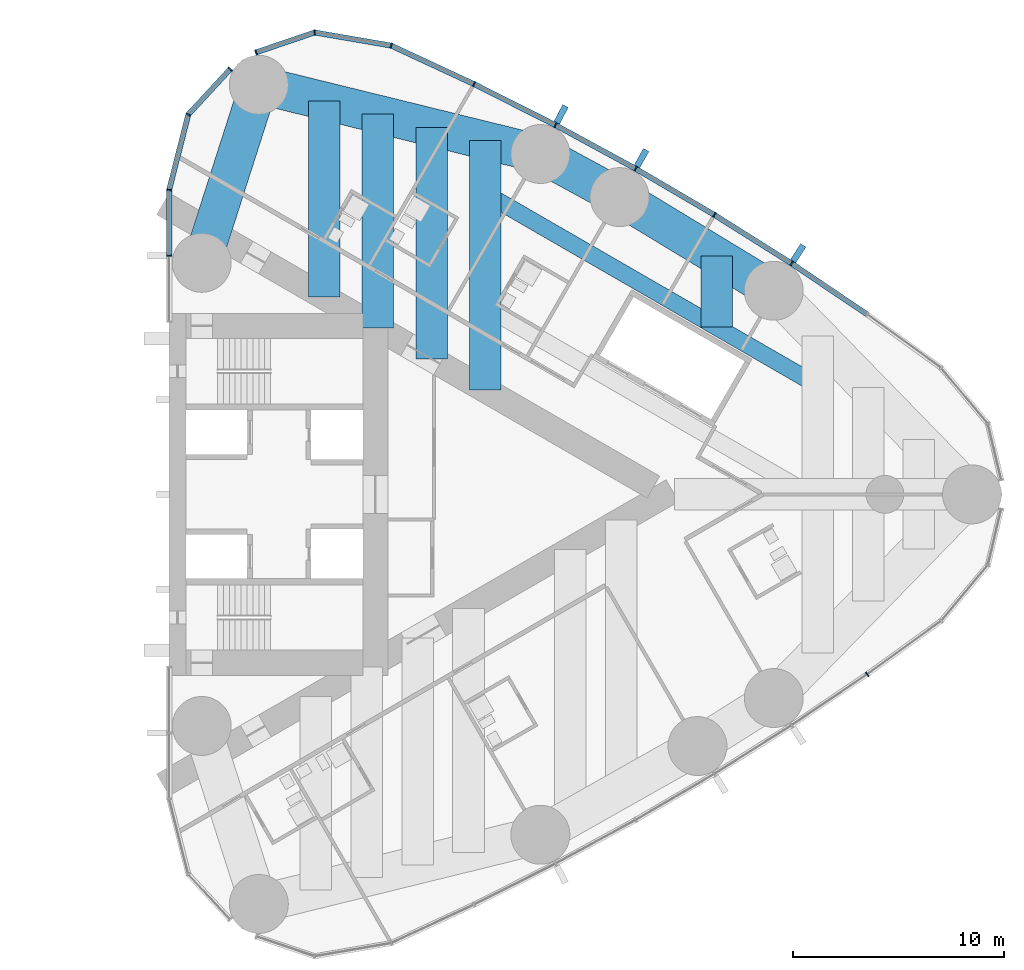
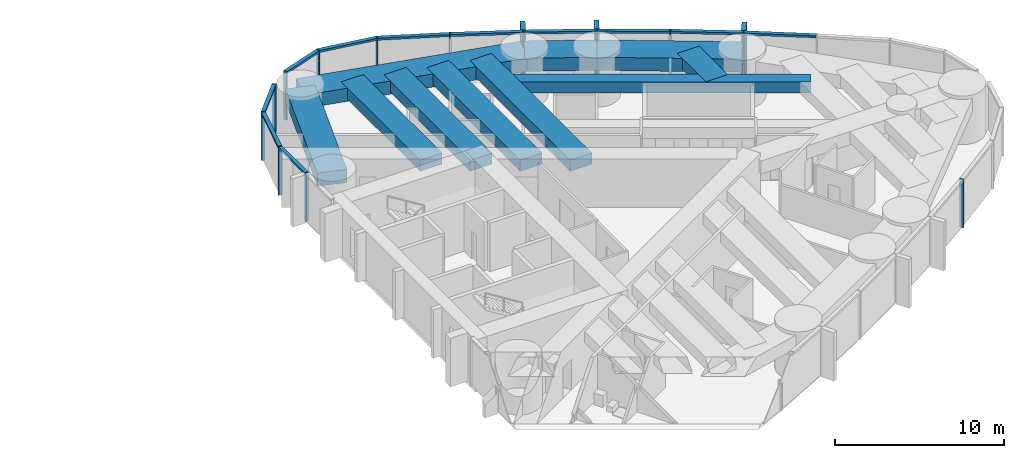
# One storey, part 8 of 19: 27 members, 10 beams, 3 elements without a shape of their own.
"""IFC4 building model written with IfcOpenShell, lengths in metres."""

import ifcopenshell
import ifcopenshell.guid

model = None  # the IFC model being written
_history = None  # IfcOwnerHistory: only IFC2X3 demands one
_inside = {}  # id of a spatial element -> (the spatial element, [elements in it])
_under = {}  # id of a project, library or spatial element -> (it, [spatial elements below it])
_declared = {}  # id of a project -> (the project, [libraries it declares])
_typed = {}  # id of a type object -> (the type object, [elements of that type])
_made_of = {}  # id of a material, layer set ... -> (it, [elements and type objects made of it])


def new_model(schema):
    """Start an empty IFC model of exactly this schema.

    Asked for "IFC4X3", IfcOpenShell would pick the latest addendum, in which some entities
    have other attributes; the version numbers below select the first issue.
    IFC2X3 requires an IfcOwnerHistory on every rooted entity: one is made here for all.
    """
    global model, _history
    if schema == "IFC4X3":
        model = ifcopenshell.file(schema_version=(4, 3, 0, 0))
    else:
        model = ifcopenshell.file(schema=schema)
    _inside.clear()
    _under.clear()
    _declared.clear()
    _typed.clear()
    _made_of.clear()
    _history = None
    if model.schema == "IFC2X3":
        org = make("IfcOrganization", Name="unknown")
        user = make(
            "IfcPersonAndOrganization",
            ThePerson=make("IfcPerson", FamilyName="unknown"),
            TheOrganization=org,
        )
        app = make(
            "IfcApplication",
            ApplicationDeveloper=org,
            Version="unknown",
            ApplicationFullName="unknown",
            ApplicationIdentifier="unknown",
        )
        _history = make(
            "IfcOwnerHistory",
            OwningUser=user,
            OwningApplication=app,
            ChangeAction="ADDED",
            CreationDate=0,
        )
    return model


def make(cls, **values):
    """One entity of the class cls with the attributes given. An attribute that is None is left unset."""
    return model.create_entity(
        cls, **{name: value for name, value in values.items() if value is not None}
    )


def rooted(cls, **values):
    """An entity with a GlobalId (a new one), such as an element, a storey or a relation."""
    return make(cls, GlobalId=ifcopenshell.guid.new(), OwnerHistory=_history, **values)


def si_unit(unit_type, name, prefix=None):
    """IfcSIUnit, for example si_unit("LENGTHUNIT", "METRE", prefix="MILLI")."""
    return make("IfcSIUnit", UnitType=unit_type, Prefix=prefix, Name=name)


def assignment(units):
    """IfcUnitAssignment: the units of a project."""
    return None if units is None else make("IfcUnitAssignment", Units=units)


def point(xyz):
    """IfcCartesianPoint."""
    return None if xyz is None else make("IfcCartesianPoint", Coordinates=xyz)


def direction(xyz):
    """IfcDirection."""
    return None if xyz is None else make("IfcDirection", DirectionRatios=xyz)


def frame(location, z_axis=None, x_axis=None):
    """IfcAxis2Placement3D, a coordinate frame: its origin and axes. An axis left out is left unset."""
    return make(
        "IfcAxis2Placement3D",
        Location=point(location),
        Axis=direction(z_axis),
        RefDirection=direction(x_axis),
    )


def frame_2d(location, x_axis=None):
    """IfcAxis2Placement2D, a coordinate frame in the plane: its origin and x axis."""
    return make(
        "IfcAxis2Placement2D", Location=point(location), RefDirection=direction(x_axis)
    )


def origin():
    """The frame at (0, 0, 0) with its axes left unset."""
    return frame((0.0, 0.0, 0.0))


def origin_2d():
    """The frame at (0, 0) in the plane with its x axis left unset."""
    return frame_2d((0.0, 0.0))


def place(relative_to, where):
    """IfcLocalPlacement: puts the frame where relative to a parent placement (None: the world)."""
    return make(
        "IfcLocalPlacement", PlacementRelTo=relative_to, RelativePlacement=where
    )


def context(
    kind, dimensions, precision=None, world=None, true_north=None, identifier=None
):
    """IfcGeometricRepresentationContext, for example the 3D "Model" context."""
    return make(
        "IfcGeometricRepresentationContext",
        ContextIdentifier=identifier,
        ContextType=kind,
        CoordinateSpaceDimension=dimensions,
        Precision=precision,
        WorldCoordinateSystem=world,
        TrueNorth=true_north,
    )


def subcontext(parent, identifier, kind, view, scale=None):
    """IfcGeometricRepresentationSubContext, for example "Body" below "Model"."""
    return make(
        "IfcGeometricRepresentationSubContext",
        ContextIdentifier=identifier,
        ContextType=kind,
        ParentContext=parent,
        TargetScale=scale,
        TargetView=view,
    )


def project(units=None, contexts=None):
    """IfcProject with its units and contexts."""
    return rooted(
        "IfcProject",
        Name="project",
        RepresentationContexts=contexts,
        UnitsInContext=assignment(units),
    )


def spatial(cls, under=None, at=None, **own):
    """A site, building, storey or space (cls), placed at a placement, below another one or the project."""
    s = rooted(cls, ObjectPlacement=at, **own)
    if under is not None:
        _under.setdefault(under.id(), (under, []))[1].append(s)
    return s


def profile(cls, at=None, kind="AREA", **sizes):
    """A parametric profile (cls). Its sizes go by their IFC names, for example OverallWidth=200.0."""
    return make(cls, ProfileType=kind, Position=at, **sizes)


def rectangle(**sizes):
    """IfcRectangleProfileDef."""
    return profile("IfcRectangleProfileDef", **sizes)


def hollow_rectangle(**sizes):
    """IfcRectangleHollowProfileDef."""
    return profile("IfcRectangleHollowProfileDef", **sizes)


def extrude(swept, where, along, depth):
    """IfcExtrudedAreaSolid: the profile swept, set in the frame where, extruded along a direction by depth."""
    return make(
        "IfcExtrudedAreaSolid",
        SweptArea=swept,
        Position=where,
        ExtrudedDirection=direction(along),
        Depth=depth,
    )


def shape(context_of_items, identifier, shape_type, items):
    """IfcShapeRepresentation: the items that make up one representation, for example the "Body"."""
    return make(
        "IfcShapeRepresentation",
        ContextOfItems=context_of_items,
        RepresentationIdentifier=identifier,
        RepresentationType=shape_type,
        Items=items,
    )


def material(Name=None, Category=None):
    """IfcMaterial."""
    return make("IfcMaterial", Name=Name, Category=Category)


def material_profile(
    of_material, cross_section, Name=None, Category=None, Priority=None
):
    """IfcMaterialProfile: a cross section and its material."""
    return make(
        "IfcMaterialProfile",
        Name=Name,
        Material=of_material,
        Profile=cross_section,
        Priority=Priority,
        Category=Category,
    )


def profile_set(profiles, Name=None, composite=None):
    """IfcMaterialProfileSet."""
    return make(
        "IfcMaterialProfileSet",
        Name=Name,
        MaterialProfiles=profiles,
        CompositeProfile=composite,
    )


def made_of(thing, what):
    """Note that an element or type object is made of a material, layer set ...; save() writes the relation."""
    if what is not None:
        _made_of.setdefault(what.id(), (what, []))[1].append(thing)
    return thing


def type_object(cls, material=None, **own):
    """A type object (cls), such as IfcWallType, which elements share."""
    return made_of(rooted(cls, **own), material)


def element(
    cls,
    number,
    at=None,
    inside=None,
    cuts=None,
    type_object=None,
    material=None,
    context=None,
    identifier="Body",
    shape_type=None,
    held_by="IfcProductDefinitionShape",
    body=None,
    shapes=None,
    **own,
):
    """One element of the class cls, such as IfcWall. Its Tag is "e" and its number.

    at: its placement. inside: the storey or other place that contains it. cuts: it is an
    opening in that element (IfcRelVoidsElement). A single representation is given by context,
    identifier, shape_type and body (its items); several are given by shapes. held_by: the class
    of the entity that holds the representations. save() writes the other relations.
    """
    e = rooted(cls, Tag="e%d" % number, ObjectPlacement=at, **own)
    if body is not None:
        shapes = [shape(context, identifier, shape_type, body)]
    if shapes is not None:
        e.Representation = make(held_by, Representations=shapes)
    if inside is not None:
        _inside.setdefault(inside.id(), (inside, []))[1].append(e)
    if cuts is not None:
        rooted(
            "IfcRelVoidsElement", RelatingBuildingElement=cuts, RelatedOpeningElement=e
        )
    if type_object is not None:
        _typed.setdefault(type_object.id(), (type_object, []))[1].append(e)
    return made_of(e, material)


def aggregate(whole, parts):
    """IfcRelAggregates: a whole, such as a stair, and the parts it consists of."""
    return rooted("IfcRelAggregates", RelatingObject=whole, RelatedObjects=parts)


def save(model, path):
    """Write the relations noted so far, then the file.

    IfcRelAggregates (storeys below a building ...), IfcRelContainedInSpatialStructure (elements
    in a storey), IfcRelDefinesByType, IfcRelAssociatesMaterial and IfcRelDeclares: one each for
    every whole, place, type object, material and project.
    """
    for whole, parts in _under.values():
        aggregate(whole, parts)
    for where, things in _inside.values():
        rooted(
            "IfcRelContainedInSpatialStructure",
            RelatedElements=things,
            RelatingStructure=where,
        )
    for kind, things in _typed.values():
        rooted("IfcRelDefinesByType", RelatedObjects=things, RelatingType=kind)
    for what, things in _made_of.values():
        rooted("IfcRelAssociatesMaterial", RelatedObjects=things, RelatingMaterial=what)
    for by, libraries in _declared.values():
        rooted("IfcRelDeclares", RelatingContext=by, RelatedDefinitions=libraries)
    model.write(path)


model = new_model("IFC4")

# Units and contexts
model_context = context("Model", 3, precision=1e-05, world=origin(), true_north=direction((0.0, 1.0)))
body_context = subcontext(model_context, "Body", "Model", "MODEL_VIEW")
ifc_project = project(units=[si_unit("LENGTHUNIT", "METRE"), si_unit("AREAUNIT", "SQUARE_METRE"), si_unit("VOLUMEUNIT", "CUBIC_METRE"), si_unit("PLANEANGLEUNIT", "RADIAN"), si_unit("MASSUNIT", "GRAM", prefix="KILO")], contexts=[model_context])

# Site, building, storey
site_placement = place(None, origin())
site = spatial("IfcSite", under=ifc_project, at=site_placement, CompositionType="ELEMENT")
building_placement = place(site_placement, origin())
building = spatial("IfcBuilding", under=site, at=building_placement, Name="Lancet Gate Hotel", CompositionType="ELEMENT")
storey_placement = place(building_placement, frame((0.0, 0.0, 184.300048828125)))
storey = spatial("IfcBuildingStorey", under=building, at=storey_placement, Name="L49", CompositionType="ELEMENT", Elevation=184.300048828125)

# Curtain wall, member
ifc_material_1 = material(Name="Aluminium curtain wall", Category="aluminium")
curtain_wall_type = type_object("IfcCurtainWallType", Name="Tower unitised curtain wall", PredefinedType="USERDEFINED", material=ifc_material_1)
curtain_wall_1_placement = place(storey_placement, origin())
curtain_wall_1 = element("IfcCurtainWall", 1, at=curtain_wall_1_placement, inside=storey, type_object=curtain_wall_type, Name="T2 L49 curtain wall 2", ObjectType="UNITISED CURTAIN WALL", PredefinedType="USERDEFINED")
ifc_material_2 = material(Name="Aluminium mullion", Category="aluminium")
ifc_material_profile_1 = material_profile(ifc_material_2, rectangle(XDim=0.06494140625, YDim=0.25, at=origin_2d()), Name="MULLION 65x250")
ifc_profile_set_1 = profile_set([ifc_material_profile_1], Name="Aluminium mullion")
member_type_1 = type_object("IfcMemberType", Name="Aluminium mullion 65x250", PredefinedType="MULLION", material=ifc_profile_set_1)
member_1_placement = place(storey_placement, frame((60.66015625, -8.547607421875, 0.0), z_axis=(0.0, 0.0, 1.0), x_axis=(0.820068208435, 0.572265789222, 0.0)))
member_1 = element("IfcMember", 2, at=member_1_placement, type_object=member_type_1, Name="T2 L49 curtain wall 2 mullion 9", PredefinedType="MULLION", context=body_context, shape_type="SweptSolid", body=[
    extrude(rectangle(XDim=0.06494140625, YDim=0.25, at=origin_2d()), origin(), (0.0, 0.0, 1.0), 3.5),
])
aggregate(curtain_wall_1, [member_1])

# Curtain wall, members
curtain_wall_2_placement = place(storey_placement, origin())
curtain_wall_2 = element("IfcCurtainWall", 3, at=curtain_wall_2_placement, inside=storey, type_object=curtain_wall_type, Name="T2 L49 curtain wall 3", ObjectType="UNITISED CURTAIN WALL", PredefinedType="USERDEFINED")
member_2_placement = place(storey_placement, frame((57.067138671875, 10.970947265625, 0.0), z_axis=(0.0, 0.0, 1.0), x_axis=(-0.837800943278, 0.545975804815, 0.0)))
member_2 = element("IfcMember", 4, at=member_2_placement, type_object=member_type_1, Name="T2 L49 curtain wall 3 mullion 5", PredefinedType="MULLION", context=body_context, shape_type="SweptSolid", body=[
    extrude(rectangle(XDim=0.06494140625, YDim=0.25, at=origin_2d()), origin(), (0.0, 0.0, 1.0), 3.5),
])
member_3_placement = place(storey_placement, frame((53.39892578125, 13.279541015625, 0.0), z_axis=(0.0, 0.0, 1.0), x_axis=(-0.854691174453, 0.519136779965, 0.0)))
member_3 = element("IfcMember", 5, at=member_3_placement, type_object=member_type_1, Name="T2 L49 curtain wall 3 mullion 6", PredefinedType="MULLION", context=body_context, shape_type="SweptSolid", body=[
    extrude(rectangle(XDim=0.06494140625, YDim=0.25, at=origin_2d()), origin(), (0.0, 0.0, 1.0), 3.5),
])
member_4_placement = place(storey_placement, frame((49.65966796875, 15.47021484375, 0.0), z_axis=(0.0, 0.0, 1.0), x_axis=(-0.870721916932, 0.491775704336, 0.0)))
member_4 = element("IfcMember", 6, at=member_4_placement, type_object=member_type_1, Name="T2 L49 curtain wall 3 mullion 7", PredefinedType="MULLION", context=body_context, shape_type="SweptSolid", body=[
    extrude(rectangle(XDim=0.06494140625, YDim=0.25, at=origin_2d()), origin(), (0.0, 0.0, 1.0), 3.5),
])
member_5_placement = place(storey_placement, frame((45.8525390625, 17.54150390625, 0.0), z_axis=(0.0, 0.0, 1.0), x_axis=(-0.885877049989, 0.463920092584, 0.0)))
member_5 = element("IfcMember", 7, at=member_5_placement, type_object=member_type_1, Name="T2 L49 curtain wall 3 mullion 8", PredefinedType="MULLION", context=body_context, shape_type="SweptSolid", body=[
    extrude(rectangle(XDim=0.06494140625, YDim=0.25, at=origin_2d()), origin(), (0.0, 0.0, 1.0), 3.5),
])
member_6_placement = place(storey_placement, frame((41.98193359375, 19.490966796875, 0.0), z_axis=(0.0, 0.0, 1.0), x_axis=(-0.900141333422, 0.435597956681, 0.0)))
member_6 = element("IfcMember", 8, at=member_6_placement, type_object=member_type_1, Name="T2 L49 curtain wall 3 mullion 9", PredefinedType="MULLION", context=body_context, shape_type="SweptSolid", body=[
    extrude(rectangle(XDim=0.06494140625, YDim=0.25, at=origin_2d()), origin(), (0.0, 0.0, 1.0), 3.5),
])
member_7_placement = place(storey_placement, frame((38.05126953125, 21.31689453125, 0.0), z_axis=(0.0, 0.0, 1.0), x_axis=(-0.951355493327, 0.308095318555, 0.0)))
member_7 = element("IfcMember", 9, at=member_7_placement, type_object=member_type_1, Name="T2 L49 curtain wall 3 mullion 10", PredefinedType="MULLION", context=body_context, shape_type="SweptSolid", body=[
    extrude(rectangle(XDim=0.06494140625, YDim=0.25, at=origin_2d()), origin(), (0.0, 0.0, 1.0), 3.5),
])
member_8_placement = place(storey_placement, frame((34.412109375, 21.9423828125, 0.0), z_axis=(0.0, 0.0, 1.0), x_axis=(-0.99877556888, -0.049470829879, 0.0)))
member_8 = element("IfcMember", 10, at=member_8_placement, type_object=member_type_1, Name="T2 L49 curtain wall 3 mullion 11", PredefinedType="MULLION", context=body_context, shape_type="SweptSolid", body=[
    extrude(rectangle(XDim=0.06494140625, YDim=0.25, at=origin_2d()), origin(), (0.0, 0.0, 1.0), 3.5),
])
member_9_placement = place(storey_placement, frame((31.631591796875, 20.998779296875, 0.0), z_axis=(0.0, 0.0, 1.0), x_axis=(-0.946952368511, -0.321373943827, 0.0)))
member_9 = element("IfcMember", 11, at=member_9_placement, type_object=member_type_1, Name="T2 L49 curtain wall 3 mullion 12", PredefinedType="MULLION", context=body_context, shape_type="SweptSolid", body=[
    extrude(rectangle(XDim=0.06494140625, YDim=0.25, at=origin_2d()), origin(), (0.0, 0.0, 1.0), 3.5),
])

curtain_wall_3_placement = place(storey_placement, origin())
curtain_wall_3 = element("IfcCurtainWall", 12, at=curtain_wall_3_placement, inside=storey, type_object=curtain_wall_type, Name="T2 L49 curtain wall 4", ObjectType="UNITISED CURTAIN WALL", PredefinedType="USERDEFINED")
member_10_placement = place(storey_placement, frame((30.40185546875, 20.199951171875, 0.0), z_axis=(0.0, 0.0, 1.0), x_axis=(-0.67883123083, -0.734294327943, 0.0)))
member_10 = element("IfcMember", 13, at=member_10_placement, type_object=member_type_1, Name="T2 L49 curtain wall 4 mullion 1", PredefinedType="MULLION", context=body_context, shape_type="SweptSolid", body=[
    extrude(rectangle(XDim=0.06494140625, YDim=0.25, at=origin_2d()), origin(), (0.0, 0.0, 1.0), 3.5),
])
member_11_placement = place(storey_placement, frame((28.408935546875, 18.04443359375, 0.0), z_axis=(0.0, 0.0, 1.0), x_axis=(-0.451505925065, -0.892268120932, 0.0)))
member_11 = element("IfcMember", 14, at=member_11_placement, type_object=member_type_1, Name="T2 L49 curtain wall 4 mullion 2", PredefinedType="MULLION", context=body_context, shape_type="SweptSolid", body=[
    extrude(rectangle(XDim=0.06494140625, YDim=0.25, at=origin_2d()), origin(), (0.0, 0.0, 1.0), 3.5),
])
member_12_placement = place(storey_placement, frame((27.5, 14.465576171875, 0.0), z_axis=(0.0, 0.0, 1.0), x_axis=(-0.134206524909, -0.990953383703, 0.0)))
member_12 = element("IfcMember", 15, at=member_12_placement, type_object=member_type_1, Name="T2 L49 curtain wall 4 mullion 3", PredefinedType="MULLION", context=body_context, shape_type="SweptSolid", body=[
    extrude(rectangle(XDim=0.06494140625, YDim=0.25, at=origin_2d()), origin(), (0.0, 0.0, 1.0), 3.5),
])
member_13_placement = place(storey_placement, frame((27.5, 11.332763671875, 0.0), z_axis=(0.0, 0.0, 1.0), x_axis=(0.0, -1.0, 0.0)))
member_13 = element("IfcMember", 16, at=member_13_placement, type_object=member_type_1, Name="T2 L49 curtain wall 4 mullion 4", PredefinedType="MULLION", context=body_context, shape_type="SweptSolid", body=[
    extrude(rectangle(XDim=0.06494140625, YDim=0.25, at=origin_2d()), origin(), (0.0, 0.0, 1.0), 3.5),
])

# Member
ifc_material_3 = material(Name="Aluminium transom", Category="aluminium")
ifc_material_profile_2 = material_profile(ifc_material_3, rectangle(XDim=0.25, YDim=0.14990234375, at=origin_2d()), Name="TRANSOM 250x150")
ifc_profile_set_2 = profile_set([ifc_material_profile_2], Name="Aluminium transom")
member_type_2 = type_object("IfcMemberType", Name="Aluminium transom 250x150", PredefinedType="USERDEFINED", material=ifc_profile_set_2)
member_14_placement = place(storey_placement, frame((60.63330078125, 8.565673828125, 3.425048828125), z_axis=(-0.829046850689, 0.559179147826, 0.0), x_axis=(-0.559179147826, -0.829046850689, 0.0)))
member_14 = element("IfcMember", 17, at=member_14_placement, type_object=member_type_2, Name="T2 L49 curtain wall 3 transom 4", ObjectType="TRANSOM", PredefinedType="USERDEFINED", context=body_context, shape_type="SweptSolid", body=[
    extrude(rectangle(XDim=0.25, YDim=0.14990234375, at=origin_2d()), origin(), (0.0, 0.0, 1.0), 4.26904296875),
])

member_15_placement = place(storey_placement, frame((57.03955078125, 10.98828125, 3.425048828125), z_axis=(-0.846333101657, 0.532653997488, 0.0), x_axis=(-0.532653997488, -0.846333101657, 0.0)))
member_15 = element("IfcMember", 18, at=member_15_placement, type_object=member_type_2, Name="T2 L49 curtain wall 3 transom 5", ObjectType="TRANSOM", PredefinedType="USERDEFINED", context=body_context, shape_type="SweptSolid", body=[
    extrude(rectangle(XDim=0.25, YDim=0.14990234375, at=origin_2d()), origin(), (0.0, 0.0, 1.0), 4.26904296875),
])

member_16_placement = place(storey_placement, frame((53.37109375, 13.2958984375, 3.425048828125), z_axis=(-0.862825279032, 0.505502262966, 0.0), x_axis=(-0.505502262966, -0.862825279032, 0.0)))
member_16 = element("IfcMember", 19, at=member_16_placement, type_object=member_type_2, Name="T2 L49 curtain wall 3 transom 6", ObjectType="TRANSOM", PredefinedType="USERDEFINED", context=body_context, shape_type="SweptSolid", body=[
    extrude(rectangle(XDim=0.25, YDim=0.14990234375, at=origin_2d()), origin(), (0.0, 0.0, 1.0), 4.26904296875),
])

member_17_placement = place(storey_placement, frame((49.631103515625, 15.48583984375, 3.425048828125), z_axis=(-0.878404302735, 0.477918278513, 0.0), x_axis=(-0.477918278513, -0.878404302735, 0.0)))
member_17 = element("IfcMember", 20, at=member_17_placement, type_object=member_type_2, Name="T2 L49 curtain wall 3 transom 7", ObjectType="TRANSOM", PredefinedType="USERDEFINED", context=body_context, shape_type="SweptSolid", body=[
    extrude(rectangle(XDim=0.25, YDim=0.14990234375, at=origin_2d()), origin(), (0.0, 0.0, 1.0), 4.26904296875),
])

member_18_placement = place(storey_placement, frame((45.82373046875, 17.55615234375, 3.425048828125), z_axis=(-0.893130969207, 0.449796700571, 0.0), x_axis=(-0.449796700571, -0.893130969207, 0.0)))
member_18 = element("IfcMember", 21, at=member_18_placement, type_object=member_type_2, Name="T2 L49 curtain wall 3 transom 8", ObjectType="TRANSOM", PredefinedType="USERDEFINED", context=body_context, shape_type="SweptSolid", body=[
    extrude(rectangle(XDim=0.25, YDim=0.14990234375, at=origin_2d()), origin(), (0.0, 0.0, 1.0), 4.26904296875),
])

member_19_placement = place(storey_placement, frame((41.952392578125, 19.504638671875, 3.425048828125), z_axis=(-0.906913768492, 0.421316290357, 0.0), x_axis=(-0.421316290357, -0.906913768492, 0.0)))
member_19 = element("IfcMember", 22, at=member_19_placement, type_object=member_type_2, Name="T2 L49 curtain wall 3 transom 9", ObjectType="TRANSOM", PredefinedType="USERDEFINED", context=body_context, shape_type="SweptSolid", body=[
    extrude(rectangle(XDim=0.25, YDim=0.14990234375, at=origin_2d()), origin(), (0.0, 0.0, 1.0), 4.26904296875),
])

member_20_placement = place(storey_placement, frame((38.019287109375, 21.322265625, 3.425048828125), z_axis=(-0.985536950873, 0.169460669373, 0.0), x_axis=(-0.169460669373, -0.985536950873, 0.0)))
member_20 = element("IfcMember", 23, at=member_20_placement, type_object=member_type_2, Name="T2 L49 curtain wall 3 transom 10", ObjectType="TRANSOM", PredefinedType="USERDEFINED", context=body_context, shape_type="SweptSolid", body=[
    extrude(rectangle(XDim=0.25, YDim=0.14990234375, at=origin_2d()), origin(), (0.0, 0.0, 1.0), 3.627685546875),
])

member_21_placement = place(storey_placement, frame((34.38134765625, 21.93212890625, 3.425048828125), z_axis=(-0.946943122832, -0.321401185625, 0.0), x_axis=(0.321401185625, -0.946943122832, 0.0)))
member_21 = element("IfcMember", 24, at=member_21_placement, type_object=member_type_2, Name="T2 L49 curtain wall 3 transom 11", ObjectType="TRANSOM", PredefinedType="USERDEFINED", context=body_context, shape_type="SweptSolid", body=[
    extrude(rectangle(XDim=0.25, YDim=0.14990234375, at=origin_2d()), origin(), (0.0, 0.0, 1.0), 2.871337890625),
])

member_22_placement = place(storey_placement, frame((30.379638671875, 20.17626953125, 3.425048828125), z_axis=(-0.678792146129, -0.734330458549, 0.0), x_axis=(0.734330458549, -0.678792146129, 0.0)))
member_22 = element("IfcMember", 25, at=member_22_placement, type_object=member_type_2, Name="T2 L49 curtain wall 4 transom 1", ObjectType="TRANSOM", PredefinedType="USERDEFINED", context=body_context, shape_type="SweptSolid", body=[
    extrude(rectangle(XDim=0.25, YDim=0.14990234375, at=origin_2d()), origin(), (0.0, 0.0, 1.0), 2.87060546875),
])

member_23_placement = place(storey_placement, frame((28.40087890625, 18.012939453125, 3.425048828125), z_axis=(-0.246128756616, -0.969237140831, 0.0), x_axis=(0.969237140831, -0.246128756616, 0.0)))
member_23 = element("IfcMember", 26, at=member_23_placement, type_object=member_type_2, Name="T2 L49 curtain wall 4 transom 2", ObjectType="TRANSOM", PredefinedType="USERDEFINED", context=body_context, shape_type="SweptSolid", body=[
    extrude(rectangle(XDim=0.25, YDim=0.14990234375, at=origin_2d()), origin(), (0.0, 0.0, 1.0), 3.62744140625),
])

member_24_placement = place(storey_placement, frame((27.5, 14.43310546875, 3.425048828125), z_axis=(0.0, -1.0, 0.0), x_axis=(1.0, 0.0, 0.0)))
member_24 = element("IfcMember", 27, at=member_24_placement, type_object=member_type_2, Name="T2 L49 curtain wall 4 transom 3", ObjectType="TRANSOM", PredefinedType="USERDEFINED", context=body_context, shape_type="SweptSolid", body=[
    extrude(rectangle(XDim=0.25, YDim=0.14990234375, at=origin_2d()), origin(), (0.0, 0.0, 1.0), 3.06787109375),
])

aggregate(curtain_wall_3, [member_10, member_11, member_12, member_13, member_22, member_23, member_24])

# Beams
ifc_material_4 = material(Name="Concrete C50/60", Category="concrete")
ifc_material_profile_3 = material_profile(ifc_material_4, rectangle(XDim=1.800048828125, YDim=0.949951171875, at=origin_2d()), Name="RC 1800x950")
ifc_profile_set_3 = profile_set([ifc_material_profile_3], Name="Concrete C50/60")
beam_type_1 = type_object("IfcBeamType", Name="Edge beam RC 1800x950", PredefinedType="SPANDREL", material=ifc_profile_set_3)
beam_1_placement = place(storey_placement, frame((56.220947265625, 9.67236328125, 2.77490234375), z_axis=(-0.854692251129, 0.519135007353, 0.0), x_axis=(-0.519135007353, -0.854692251129, 0.0)))
element("IfcBeam", 28, at=beam_1_placement, inside=storey, type_object=beam_type_1, Name="T2 edge beam EB1 L49", PredefinedType="SPANDREL", context=body_context, shape_type="SweptSolid", body=[
    extrude(rectangle(XDim=1.800048828125, YDim=0.949951171875, at=origin_2d()), origin(), (0.0, 0.0, 1.0), 8.568603515625),
])
beam_2_placement = place(storey_placement, frame((48.8974609375, 14.12060546875, 2.77490234375), z_axis=(-0.878404597051, 0.477917737566, 0.0), x_axis=(-0.477917737566, -0.878404597051, 0.0)))
element("IfcBeam", 29, at=beam_2_placement, inside=storey, type_object=beam_type_1, Name="T2 edge beam EB1 L49", PredefinedType="SPANDREL", context=body_context, shape_type="SweptSolid", body=[
    extrude(rectangle(XDim=1.800048828125, YDim=0.949951171875, at=origin_2d()), origin(), (0.0, 0.0, 1.0), 4.284912109375),
])
beam_3_placement = place(storey_placement, frame((45.133544921875, 16.16845703125, 2.77490234375), z_axis=(-0.971093253227, 0.238700426344, 0.0), x_axis=(-0.238700426344, -0.971093253227, 0.0)))
element("IfcBeam", 30, at=beam_3_placement, inside=storey, type_object=beam_type_1, Name="T2 edge beam EB1 L49", PredefinedType="SPANDREL", context=body_context, shape_type="SweptSolid", body=[
    extrude(rectangle(XDim=1.800048828125, YDim=0.949951171875, at=origin_2d()), origin(), (0.0, 0.0, 1.0), 13.77197265625),
])
beam_4_placement = place(storey_placement, frame((29.050048828125, 11.0, 2.77490234375), z_axis=(0.305169772986, 0.952297962644, 0.0), x_axis=(-0.952297962644, 0.305169772986, 0.0)))
element("IfcBeam", 31, at=beam_4_placement, inside=storey, type_object=beam_type_1, Name="T2 edge beam EB1 L49", PredefinedType="SPANDREL", context=body_context, shape_type="SweptSolid", body=[
    extrude(rectangle(XDim=1.800048828125, YDim=0.949951171875, at=origin_2d()), origin(), (0.0, 0.0, 1.0), 8.87939453125),
])

# Member
ifc_material_5 = material(Name="Precast concrete C50/60", Category="concrete")
ifc_material_profile_4 = material_profile(ifc_material_5, rectangle(XDim=0.300048828125, YDim=0.89990234375, at=origin_2d()), Name="FIN 300x900")
ifc_profile_set_4 = profile_set([ifc_material_profile_4], Name="Precast concrete C50/60")
member_type_3 = type_object("IfcMemberType", Name="Exposed concrete fin 300x900", PredefinedType="USERDEFINED", material=ifc_profile_set_4)
member_25_placement = place(storey_placement, frame((57.381103515625, 11.452880859375, 0.0), z_axis=(0.0, 0.0, 1.0), x_axis=(-0.837800943278, 0.545975804815, 0.0)))
member_25 = element("IfcMember", 32, at=member_25_placement, type_object=member_type_3, Name="T2 L49 curtain wall 3 fin 5", ObjectType="FIN", PredefinedType="USERDEFINED", context=body_context, shape_type="SweptSolid", body=[
    extrude(rectangle(XDim=0.300048828125, YDim=0.89990234375, at=origin_2d()), origin(), (0.0, 0.0, 1.0), 3.5),
])

member_26_placement = place(storey_placement, frame((49.9423828125, 15.970947265625, 0.0), z_axis=(0.0, 0.0, 1.0), x_axis=(-0.870721916932, 0.491775704336, 0.0)))
member_26 = element("IfcMember", 33, at=member_26_placement, type_object=member_type_3, Name="T2 L49 curtain wall 3 fin 7", ObjectType="FIN", PredefinedType="USERDEFINED", context=body_context, shape_type="SweptSolid", body=[
    extrude(rectangle(XDim=0.300048828125, YDim=0.89990234375, at=origin_2d()), origin(), (0.0, 0.0, 1.0), 3.5),
])

member_27_placement = place(storey_placement, frame((46.119384765625, 18.051025390625, 0.0), z_axis=(0.0, 0.0, 1.0), x_axis=(-0.885877049989, 0.463920092584, 0.0)))
member_27 = element("IfcMember", 34, at=member_27_placement, type_object=member_type_3, Name="T2 L49 curtain wall 3 fin 8", ObjectType="FIN", PredefinedType="USERDEFINED", context=body_context, shape_type="SweptSolid", body=[
    extrude(rectangle(XDim=0.300048828125, YDim=0.89990234375, at=origin_2d()), origin(), (0.0, 0.0, 1.0), 3.5),
])

aggregate(curtain_wall_2, [member_2, member_25, member_3, member_4, member_26, member_5, member_27, member_6, member_7, member_8, member_9, member_14, member_15, member_16, member_17, member_18, member_19, member_20, member_21])

# Beams
ifc_material_6 = material(Name="Concrete C50/60", Category="concrete")
ifc_material_profile_5 = material_profile(ifc_material_6, rectangle(XDim=1.5, YDim=0.800048828125, at=origin_2d()), Name="RC 1500x800")
ifc_profile_set_5 = profile_set([ifc_material_profile_5], Name="Concrete C50/60")
beam_type_2 = type_object("IfcBeamType", Name="Floor beam RC 1500x800", PredefinedType="BEAM", material=ifc_profile_set_5)
beam_5_placement = place(storey_placement, frame((34.859619140625, 9.377685546875, 2.849853515625), z_axis=(0.0, 1.0, 0.0), x_axis=(-1.0, 0.0, 0.0)))
element("IfcBeam", 35, at=beam_5_placement, inside=storey, type_object=beam_type_2, Name="T2 floor beam F02N L49", PredefinedType="BEAM", context=body_context, shape_type="SweptSolid", body=[
    extrude(rectangle(XDim=1.5, YDim=0.800048828125, at=origin_2d()), origin(), (0.0, 0.0, 1.0), 9.316162109375),
])
beam_6_placement = place(storey_placement, frame((37.412841796875, 7.903564453125, 2.849853515625), z_axis=(0.0, 1.0, 0.0), x_axis=(-1.0, 0.0, 0.0)))
element("IfcBeam", 36, at=beam_6_placement, inside=storey, type_object=beam_type_2, Name="T2 floor beam F04N L49", PredefinedType="BEAM", context=body_context, shape_type="SweptSolid", body=[
    extrude(rectangle(XDim=1.5, YDim=0.800048828125, at=origin_2d()), origin(), (0.0, 0.0, 1.0), 10.16259765625),
])
beam_7_placement = place(storey_placement, frame((39.9658203125, 6.429443359375, 2.849853515625), z_axis=(0.0, 1.0, 0.0), x_axis=(-1.0, 0.0, 0.0)))
element("IfcBeam", 37, at=beam_7_placement, inside=storey, type_object=beam_type_2, Name="T2 floor beam F06N L49", PredefinedType="BEAM", context=body_context, shape_type="SweptSolid", body=[
    extrude(rectangle(XDim=1.5, YDim=0.800048828125, at=origin_2d()), origin(), (0.0, 0.0, 1.0), 11.00927734375),
])
beam_8_placement = place(storey_placement, frame((42.51904296875, 4.95556640625, 2.849853515625), z_axis=(0.0, 1.0, 0.0), x_axis=(-1.0, 0.0, 0.0)))
element("IfcBeam", 38, at=beam_8_placement, inside=storey, type_object=beam_type_2, Name="T2 floor beam F08N L49", PredefinedType="BEAM", context=body_context, shape_type="SweptSolid", body=[
    extrude(rectangle(XDim=1.5, YDim=0.800048828125, at=origin_2d()), origin(), (0.0, 0.0, 1.0), 11.85546875),
])
beam_9_placement = place(storey_placement, frame((53.502197265625, 7.94775390625, 2.849853515625), z_axis=(0.0, 1.0, 0.0), x_axis=(-1.0, 0.0, 0.0)))
element("IfcBeam", 39, at=beam_9_placement, inside=storey, type_object=beam_type_2, Name="T2 floor beam F11NB L49", PredefinedType="BEAM", context=body_context, shape_type="SweptSolid", body=[
    extrude(rectangle(XDim=1.5, YDim=0.800048828125, at=origin_2d()), origin(), (0.0, 0.0, 1.0), 3.3759765625),
])
ifc_material_7 = material(Name="Steel S460QL", Category="steel")
ifc_material_profile_6 = material_profile(ifc_material_7, hollow_rectangle(XDim=0.800048828125, YDim=0.800048828125, WallThickness=0.080078125, at=origin_2d()), Name="BOX 800x800x80")
ifc_profile_set_6 = profile_set([ifc_material_profile_6], Name="Steel S460QL")
beam_type_3 = type_object("IfcBeamType", Name="Trimmer beam BOX 800x800x80", PredefinedType="BEAM", material=ifc_profile_set_6)
beam_10_placement = place(storey_placement, frame((42.51904296875, 14.289794921875, 2.849853515625), z_axis=(0.865993732867, -0.500054851626, 0.0), x_axis=(0.500054851626, 0.865993732867, 0.0)))
element("IfcBeam", 40, at=beam_10_placement, inside=storey, type_object=beam_type_3, Name="T2 trimmer beam TR01N L49", PredefinedType="BEAM", context=body_context, shape_type="SweptSolid", body=[
    extrude(hollow_rectangle(XDim=0.800048828125, YDim=0.800048828125, WallThickness=0.080078125, at=origin_2d()), origin(), (0.0, 0.0, 1.0), 18.2255859375),
])

save(model, "model.ifc")
